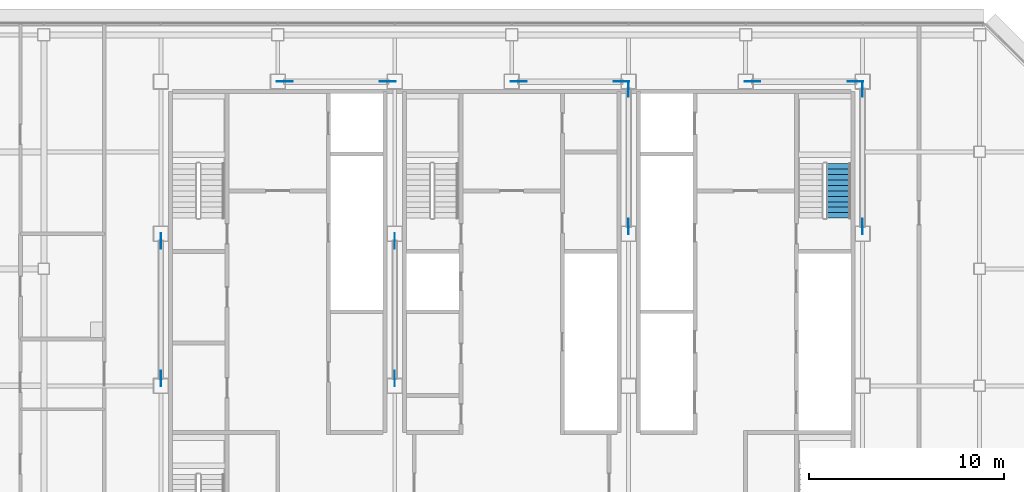
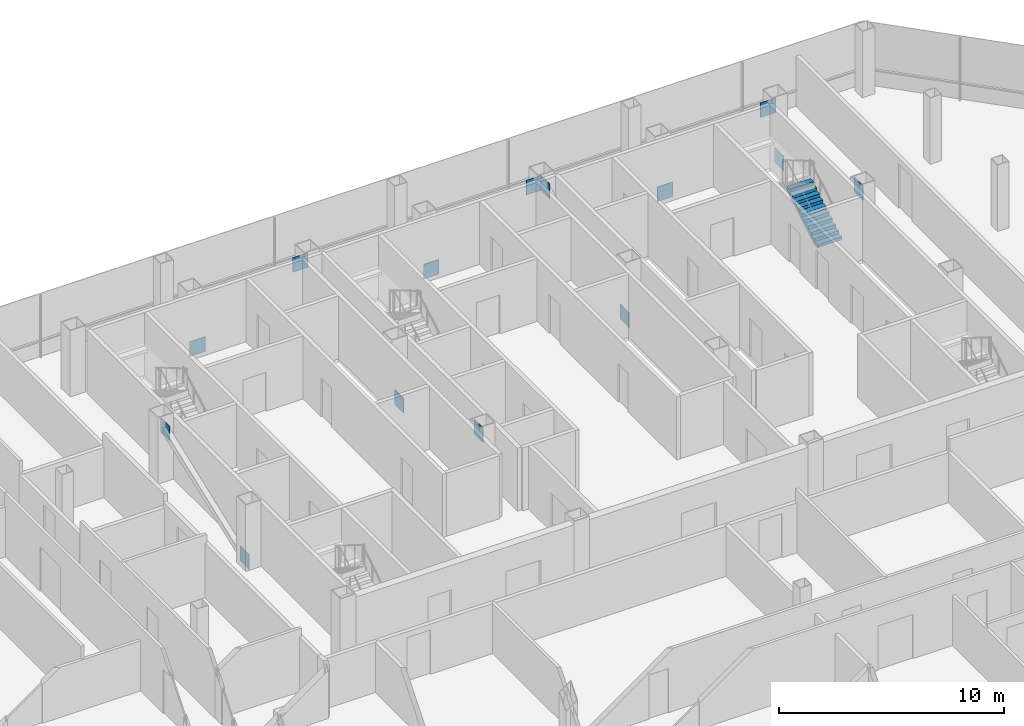
# One storey, part 25 of 27: 14 discrete accessories, 1 stair flight, 1 element without a shape of its own.
"""IFC4 building model written with IfcOpenShell, lengths in metres."""

from ifc_helpers import new_model, si_unit, direction, frame, origin, origin_2d, place, context, subcontext, project, spatial, polyline, rectangle, outline, extrude, material, layer, layer_set, type_object, element, aggregate, save


model = new_model("IFC4")

# Units and contexts
model_context = context("Model", 3, precision=1e-05, world=origin(), true_north=direction((0.0, 1.0)))
body_context = subcontext(model_context, "Body", "Model", "MODEL_VIEW")
ifc_project = project(units=[si_unit("LENGTHUNIT", "METRE"), si_unit("AREAUNIT", "SQUARE_METRE"), si_unit("VOLUMEUNIT", "CUBIC_METRE"), si_unit("PLANEANGLEUNIT", "RADIAN"), si_unit("MASSUNIT", "GRAM", prefix="KILO")], contexts=[model_context])

# Site, building, storey
site_placement = place(None, origin())
site = spatial("IfcSite", under=ifc_project, at=site_placement, CompositionType="ELEMENT")
building_placement = place(site_placement, origin())
building = spatial("IfcBuilding", under=site, at=building_placement, Name="Sorahane Residences", CompositionType="ELEMENT")
storey_placement = place(building_placement, frame((0.0, 0.0, 239.60009765625)))
storey = spatial("IfcBuildingStorey", under=building, at=storey_placement, Name="L56", CompositionType="ELEMENT", Elevation=239.60009765625)

# Stair, stair flight
ifc_material_1 = material(Name="Concrete C40", Category="concrete")
stair_type = type_object("IfcStairType", Name="Dog-leg stair 1250 Concrete C40", PredefinedType="HALF_TURN_STAIR", material=ifc_material_1)
stair_placement = place(storey_placement, origin())
stair = element("IfcStair", 1, at=stair_placement, inside=storey, type_object=stair_type, Name="L56 Stair S2", PredefinedType="HALF_TURN_STAIR")
ifc_material_2 = material(Name="Concrete C40", Category="concrete")
stair_flight_type = type_object("IfcStairFlightType", Name="Stair flight 1250 Concrete C40", PredefinedType="STRAIGHT", material=ifc_material_2)
stair_flight_placement = place(storey_placement, frame((40.77490234375, 38.60009765625, 0.0), z_axis=(0.0, 0.0, 1.0), x_axis=(0.0, 1.0, 0.0)))
stair_flight = element("IfcStairFlight", 2, at=stair_flight_placement, type_object=stair_flight_type, Name="S2 flight 1", NumberOfRisers=11, NumberOfTreads=10, PredefinedType="STRAIGHT", RiserHeight=0.163636364, TreadLength=0.28, context=body_context, shape_type="SweptSolid", body=[
    extrude(outline(polyline([(-0.00146484375, 0.0), (-0.00146484375, 0.16357421875), (0.0, 0.16357421875), (0.280029296875, 0.16357421875), (0.280029296875, 0.327392578125), (0.56005859375, 0.327392578125), (0.56005859375, 0.490966796875), (0.840087890625, 0.490966796875), (0.840087890625, 0.654541015625), (1.1201171875, 0.654541015625), (1.1201171875, 0.818115234375), (1.39990234375, 0.818115234375), (1.39990234375, 0.98193359375), (1.679931640625, 0.98193359375), (1.679931640625, 1.1455078125), (1.9599609375, 1.1455078125), (1.9599609375, 1.30908203125), (2.239990234375, 1.30908203125), (2.239990234375, 1.47265625), (2.52001953125, 1.47265625), (2.52001953125, 1.636474609375), (2.800048828125, 1.636474609375), (2.800048828125, 1.800048828125), (2.800048828125, 1.462646484375), (2.59130859375, 1.3408203125), (2.3828125, 1.218994140625), (2.17431640625, 1.09716796875), (1.965576171875, 0.97509765625), (1.757080078125, 0.853271484375), (1.548583984375, 0.7314453125), (1.340087890625, 0.609375), (1.13134765625, 0.487548828125), (0.9228515625, 0.36572265625), (0.71435546875, 0.243896484375), (0.505615234375, 0.121826171875), (0.297119140625, 0.0), (-0.00146484375, 0.0)])), frame((0.0, 0.625, 0.0), z_axis=(0.0, -1.0, 0.0), x_axis=(1.0, 0.0, 0.0)), (0.0, 0.0, 1.0), 1.25),
])
aggregate(stair, [stair_flight])

# Discrete accessories
ifc_material_3 = material(Name="Steel Q355B", Category="steel")
ifc_layer = layer(ifc_material_3, 0.02490234375)
ifc_layer_set = layer_set([ifc_layer], Name="Node plate Steel Q355B 25")
discrete_accessory_type = type_object("IfcDiscreteAccessoryType", Name="Node plate Steel Q355B 25", PredefinedType="BRACKET", material=ifc_layer_set)
for number, where, z_axis, x_axis, name in (
    (3, (6.0, 30.367919921875, -0.26220703125), (0.0, 0.0, 1.0), (0.0, 1.0, 0.0), "Node plate L56 br"),
    (4, (6.0, 37.43212890625, 2.43212890625), (0.0, 0.0, 1.0), (0.0, 1.0, 0.0), "Node plate L56 br"),
    (5, (18.0, 37.43212890625, -0.26220703125), (0.0, 0.0, 1.0), (0.0, 1.0, 0.0), "Node plate L56 br"),
    (6, (18.0, 30.367919921875, 2.43212890625), (0.0, 0.0, 1.0), (0.0, 1.0, 0.0), "Node plate L56 br"),
    (7, (30.0, 38.16796875, -0.26220703125), (0.0, 0.0, 1.0), (0.0, 1.0, 0.0), "Node plate L56 br"),
    (8, (30.0, 45.232177734375, 2.43212890625), (0.0, 0.0, 1.0), (0.0, 1.0, 0.0), "Node plate L56 br"),
    (9, (42.0, 45.232177734375, -0.26220703125), (0.0, 0.0, 1.0), (0.0, 1.0, 0.0), "Node plate L56 br"),
    (10, (42.0, 38.16796875, 2.43212890625), (0.0, 0.0, 1.0), (0.0, 1.0, 0.0), "Node plate L56 br"),
    (11, (12.35888671875, 45.60009765625, -0.27099609375), (0.0, 0.0, 1.0), (1.0, 0.0, 0.0), "Node plate L56 br"),
    (12, (24.35888671875, 45.60009765625, -0.27099609375), (0.0, 0.0, 1.0), (1.0, 0.0, 0.0), "Node plate L56 br"),
    (13, (36.35888671875, 45.60009765625, -0.27099609375), (0.0, 0.0, 1.0), (1.0, 0.0, 0.0), "Node plate L56 br"),
    (14, (17.64111328125, 45.60009765625, 2.44091796875), (0.0, 0.0, 1.0), (1.0, 0.0, 0.0), "Node plate L56 br"),
    (15, (29.64111328125, 45.60009765625, 2.44091796875), (0.0, 0.0, 1.0), (1.0, 0.0, 0.0), "Node plate L56 br"),
    (16, (41.64111328125, 45.60009765625, 2.44091796875), (0.0, 0.0, 1.0), (1.0, 0.0, 0.0), "Node plate L56 br"),
):
    element("IfcDiscreteAccessory", number, at=place(storey_placement, frame(where, z_axis=z_axis, x_axis=x_axis)), inside=storey, type_object=discrete_accessory_type, Name=name, PredefinedType="BRACKET", context=body_context, shape_type="SweptSolid", body=[
        extrude(rectangle(XDim=0.800048828125, YDim=0.02490234375, at=origin_2d()), origin(), (0.0, 0.0, 1.0), 0.800048828125),
    ])

save(model, "model.ifc")
